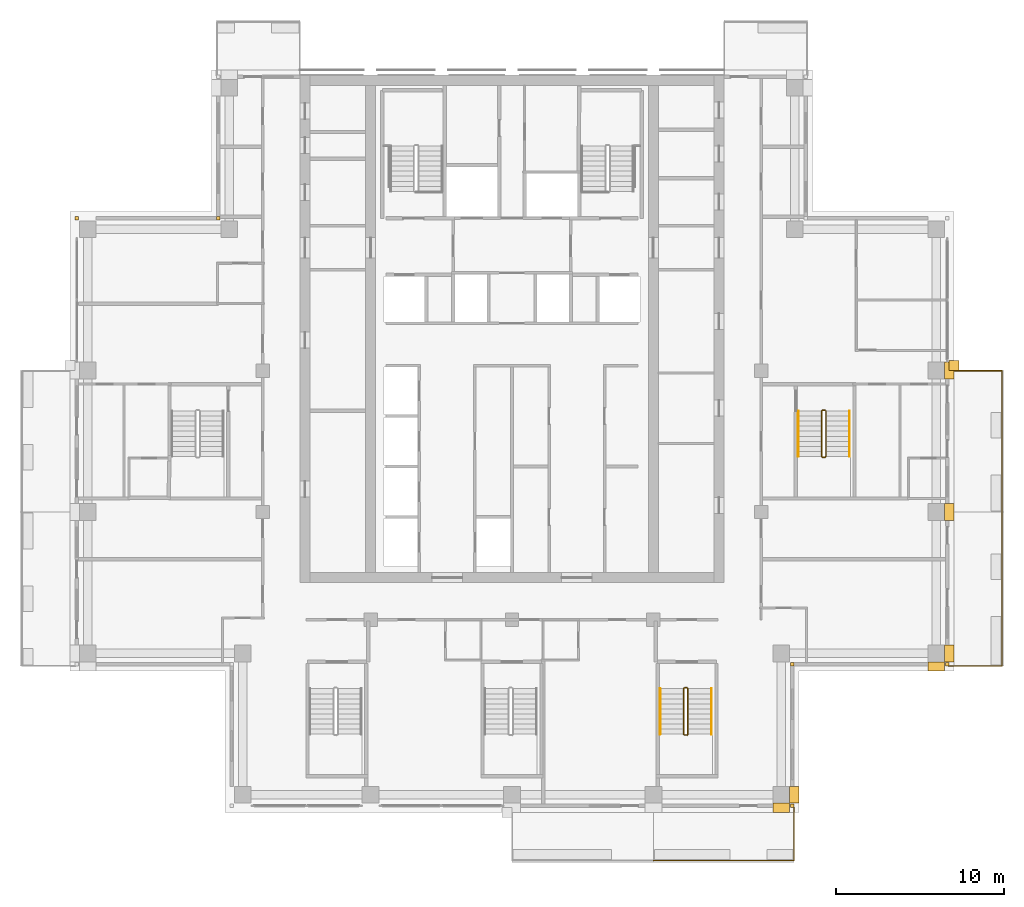
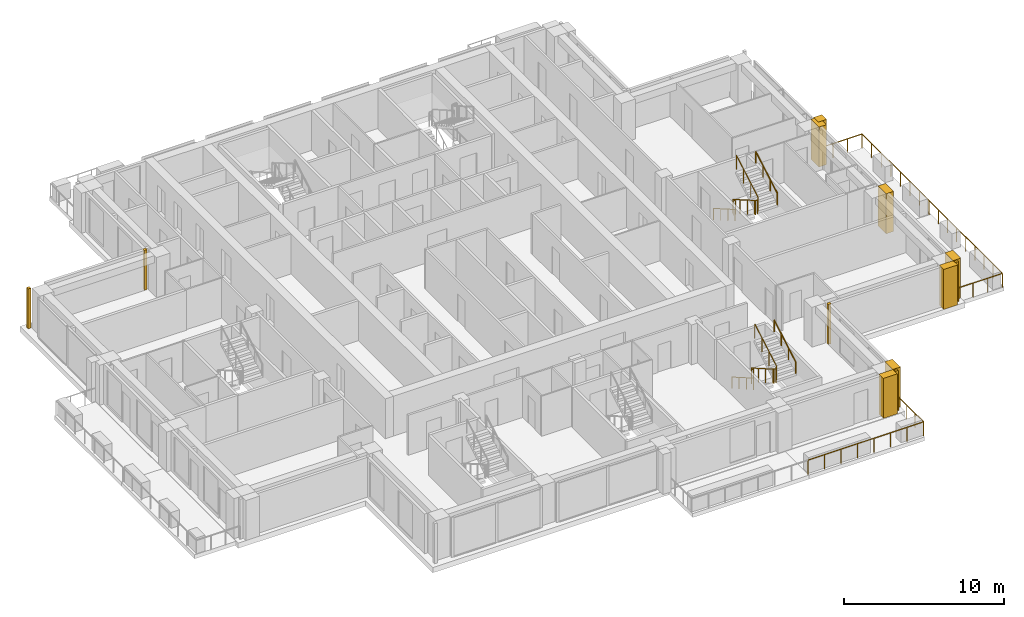
# One storey, part 16 of 17: 12 coverings, 9 railings.
"""IFC4 building model written with IfcOpenShell, lengths in metres."""

from ifc_helpers import new_model, si_unit, direction, frame, origin, origin_2d, place, context, subcontext, project, spatial, polyline, rectangle, outline, extrude, material, type_object, element, save


model = new_model("IFC4")

# Units and contexts
model_context = context("Model", 3, precision=1e-05, world=origin(), true_north=direction((0.0, 1.0)))
body_context = subcontext(model_context, "Body", "Model", "MODEL_VIEW")
ifc_project = project(units=[si_unit("LENGTHUNIT", "METRE"), si_unit("AREAUNIT", "SQUARE_METRE"), si_unit("VOLUMEUNIT", "CUBIC_METRE"), si_unit("PLANEANGLEUNIT", "RADIAN"), si_unit("MASSUNIT", "GRAM", prefix="KILO")], contexts=[model_context])

# Site, building, storey
site_placement = place(None, origin())
site = spatial("IfcSite", under=ifc_project, at=site_placement, CompositionType="ELEMENT")
building_placement = place(site_placement, origin())
building = spatial("IfcBuilding", under=site, at=building_placement, Name="Vermilion Ogive Tower", CompositionType="ELEMENT")
storey_placement = place(building_placement, frame((0.0, 0.0, 203.14990234375)))
storey = spatial("IfcBuildingStorey", under=building, at=storey_placement, Name="L53", CompositionType="ELEMENT", Elevation=203.14990234375)

# Railings
ifc_material_1 = material(Name="Stainless steel and glass", Category="steel")
railing_type_1 = type_object("IfcRailingType", Name="Balcony guard", PredefinedType="GUARDRAIL", material=ifc_material_1)
railing_1_placement = place(storey_placement, frame((8.39990234375, -24.909912109375, -0.039794921875)))
element("IfcRailing", 1, at=railing_1_placement, inside=storey, type_object=railing_type_1, Name="Guard S04", PredefinedType="GUARDRAIL", context=body_context, shape_type="SweptSolid", body=[
    extrude(rectangle(XDim=0.048095703125, YDim=0.048095703125, at=origin_2d()), frame((0.0, 0.0, 1.076171875), z_axis=(1.0, 0.0, 0.0), x_axis=(0.0, 1.0, 0.0)), (0.0, 0.0, 1.0), 8.35009765625),
    extrude(rectangle(XDim=0.048095703125, YDim=0.048095703125, at=origin_2d()), frame((8.35009765625, 0.0, 1.076171875), z_axis=(0.0, 1.0, 0.0), x_axis=(-1.0, 0.0, 0.0)), (0.0, 0.0, 1.0), 3.159912109375),
    extrude(rectangle(XDim=0.0419921875, YDim=0.0419921875, at=origin_2d()), origin(), (0.0, 0.0, 1.0), 1.052001953125),
    extrude(rectangle(XDim=0.0419921875, YDim=0.0419921875, at=origin_2d()), frame((1.19287109375, 0.0, 0.0)), (0.0, 0.0, 1.0), 1.052001953125),
    extrude(rectangle(XDim=0.0419921875, YDim=0.0419921875, at=origin_2d()), frame((2.3857421875, 0.0, 0.0)), (0.0, 0.0, 1.0), 1.052001953125),
    extrude(rectangle(XDim=0.0419921875, YDim=0.0419921875, at=origin_2d()), frame((3.57861328125, 0.0, 0.0)), (0.0, 0.0, 1.0), 1.052001953125),
    extrude(rectangle(XDim=0.0419921875, YDim=0.0419921875, at=origin_2d()), frame((4.771484375, 0.0, 0.0)), (0.0, 0.0, 1.0), 1.052001953125),
    extrude(rectangle(XDim=0.0419921875, YDim=0.0419921875, at=origin_2d()), frame((5.96435546875, 0.0, 0.0)), (0.0, 0.0, 1.0), 1.052001953125),
    extrude(rectangle(XDim=0.0419921875, YDim=0.0419921875, at=origin_2d()), frame((7.1572265625, 0.0, 0.0)), (0.0, 0.0, 1.0), 1.052001953125),
    extrude(rectangle(XDim=0.0419921875, YDim=0.0419921875, at=origin_2d()), frame((8.35009765625, 0.0, 0.0)), (0.0, 0.0, 1.0), 1.052001953125),
    extrude(rectangle(XDim=0.0419921875, YDim=0.0419921875, at=origin_2d()), frame((8.35009765625, 1.05322265625, 0.0)), (0.0, 0.0, 1.0), 1.052001953125),
    extrude(rectangle(XDim=0.0419921875, YDim=0.0419921875, at=origin_2d()), frame((8.35009765625, 2.106689453125, 0.0)), (0.0, 0.0, 1.0), 1.052001953125),
    extrude(rectangle(XDim=0.0419921875, YDim=0.0419921875, at=origin_2d()), frame((8.35009765625, 3.159912109375, 0.0)), (0.0, 0.0, 1.0), 1.052001953125),
])
railing_2_placement = place(storey_placement, frame((25.949951171875, -13.35009765625, -0.039794921875)))
element("IfcRailing", 2, at=railing_2_placement, inside=storey, type_object=railing_type_1, Name="Guard E01", PredefinedType="GUARDRAIL", context=body_context, shape_type="SweptSolid", body=[
    extrude(rectangle(XDim=0.048095703125, YDim=0.048095703125, at=origin_2d()), frame((0.0, 0.0, 1.076171875), z_axis=(1.0, 0.0, 0.0), x_axis=(0.0, 1.0, 0.0)), (0.0, 0.0, 1.0), 3.16015625),
    extrude(rectangle(XDim=0.048095703125, YDim=0.048095703125, at=origin_2d()), frame((3.16015625, 0.0, 1.076171875), z_axis=(0.0, 1.0, 0.0), x_axis=(-1.0, 0.0, 0.0)), (0.0, 0.0, 1.0), 9.150146484375),
    extrude(rectangle(XDim=0.0419921875, YDim=0.0419921875, at=origin_2d()), origin(), (0.0, 0.0, 1.0), 1.052001953125),
    extrude(rectangle(XDim=0.0419921875, YDim=0.0419921875, at=origin_2d()), frame((1.053466796875, 0.0, 0.0)), (0.0, 0.0, 1.0), 1.052001953125),
    extrude(rectangle(XDim=0.0419921875, YDim=0.0419921875, at=origin_2d()), frame((2.106689453125, 0.0, 0.0)), (0.0, 0.0, 1.0), 1.052001953125),
    extrude(rectangle(XDim=0.0419921875, YDim=0.0419921875, at=origin_2d()), frame((3.16015625, 0.0, 0.0)), (0.0, 0.0, 1.0), 1.052001953125),
    extrude(rectangle(XDim=0.0419921875, YDim=0.0419921875, at=origin_2d()), frame((3.16015625, 1.143798828125, 0.0)), (0.0, 0.0, 1.0), 1.052001953125),
    extrude(rectangle(XDim=0.0419921875, YDim=0.0419921875, at=origin_2d()), frame((3.16015625, 2.28759765625, 0.0)), (0.0, 0.0, 1.0), 1.052001953125),
    extrude(rectangle(XDim=0.0419921875, YDim=0.0419921875, at=origin_2d()), frame((3.16015625, 3.431396484375, 0.0)), (0.0, 0.0, 1.0), 1.052001953125),
    extrude(rectangle(XDim=0.0419921875, YDim=0.0419921875, at=origin_2d()), frame((3.16015625, 4.5751953125, 0.0)), (0.0, 0.0, 1.0), 1.052001953125),
    extrude(rectangle(XDim=0.0419921875, YDim=0.0419921875, at=origin_2d()), frame((3.16015625, 5.71875, 0.0)), (0.0, 0.0, 1.0), 1.052001953125),
    extrude(rectangle(XDim=0.0419921875, YDim=0.0419921875, at=origin_2d()), frame((3.16015625, 6.862548828125, 0.0)), (0.0, 0.0, 1.0), 1.052001953125),
    extrude(rectangle(XDim=0.0419921875, YDim=0.0419921875, at=origin_2d()), frame((3.16015625, 8.00634765625, 0.0)), (0.0, 0.0, 1.0), 1.052001953125),
    extrude(rectangle(XDim=0.0419921875, YDim=0.0419921875, at=origin_2d()), frame((3.16015625, 9.150146484375, 0.0)), (0.0, 0.0, 1.0), 1.052001953125),
])
railing_3_placement = place(storey_placement, frame((29.110107421875, -4.199951171875, -0.039794921875)))
element("IfcRailing", 3, at=railing_3_placement, inside=storey, type_object=railing_type_1, Name="Guard E02", PredefinedType="GUARDRAIL", context=body_context, shape_type="SweptSolid", body=[
    extrude(rectangle(XDim=0.048095703125, YDim=0.048095703125, at=origin_2d()), frame((0.0, 0.0, 1.076171875), z_axis=(0.0, 1.0, 0.0), x_axis=(-1.0, 0.0, 0.0)), (0.0, 0.0, 1.0), 8.39990234375),
    extrude(rectangle(XDim=0.048095703125, YDim=0.048095703125, at=origin_2d()), frame((0.0, 8.39990234375, 1.076171875), z_axis=(-1.0, 0.0, 0.0), x_axis=(0.0, -1.0, 0.0)), (0.0, 0.0, 1.0), 3.16015625),
    extrude(rectangle(XDim=0.0419921875, YDim=0.0419921875, at=origin_2d()), origin(), (0.0, 0.0, 1.0), 1.052001953125),
    extrude(rectangle(XDim=0.0419921875, YDim=0.0419921875, at=origin_2d()), frame((0.0, 1.199951171875, 0.0)), (0.0, 0.0, 1.0), 1.052001953125),
    extrude(rectangle(XDim=0.0419921875, YDim=0.0419921875, at=origin_2d()), frame((0.0, 2.39990234375, 0.0)), (0.0, 0.0, 1.0), 1.052001953125),
    extrude(rectangle(XDim=0.0419921875, YDim=0.0419921875, at=origin_2d()), frame((0.0, 3.599853515625, 0.0)), (0.0, 0.0, 1.0), 1.052001953125),
    extrude(rectangle(XDim=0.0419921875, YDim=0.0419921875, at=origin_2d()), frame((0.0, 4.800048828125, 0.0)), (0.0, 0.0, 1.0), 1.052001953125),
    extrude(rectangle(XDim=0.0419921875, YDim=0.0419921875, at=origin_2d()), frame((0.0, 6.0, 0.0)), (0.0, 0.0, 1.0), 1.052001953125),
    extrude(rectangle(XDim=0.0419921875, YDim=0.0419921875, at=origin_2d()), frame((0.0, 7.199951171875, 0.0)), (0.0, 0.0, 1.0), 1.052001953125),
    extrude(rectangle(XDim=0.0419921875, YDim=0.0419921875, at=origin_2d()), frame((0.0, 8.39990234375, 0.0)), (0.0, 0.0, 1.0), 1.052001953125),
    extrude(rectangle(XDim=0.0419921875, YDim=0.0419921875, at=origin_2d()), frame((-1.053466796875, 8.39990234375, 0.0)), (0.0, 0.0, 1.0), 1.052001953125),
    extrude(rectangle(XDim=0.0419921875, YDim=0.0419921875, at=origin_2d()), frame((-2.106689453125, 8.39990234375, 0.0)), (0.0, 0.0, 1.0), 1.052001953125),
    extrude(rectangle(XDim=0.0419921875, YDim=0.0419921875, at=origin_2d()), frame((-3.16015625, 8.39990234375, 0.0)), (0.0, 0.0, 1.0), 1.052001953125),
])
ifc_material_2 = material(Name="Steel S355 painted", Category="steel")
railing_type_2 = type_object("IfcRailingType", Name="Stair guard 1100", PredefinedType="GUARDRAIL", material=ifc_material_2)
railing_4_placement = place(storey_placement, frame((10.39990234375, -14.64990234375, 0.0)))
element("IfcRailing", 4, at=railing_4_placement, inside=storey, type_object=railing_type_2, Name="L53 ST5 stair guard 4", PredefinedType="GUARDRAIL", context=body_context, shape_type="SweptSolid", body=[
    extrude(rectangle(XDim=0.048095703125, YDim=0.048095703125, at=origin_2d()), frame((0.0, 0.0, 1.076171875), z_axis=(-1.0, 0.0, 0.0), x_axis=(0.0, -1.0, 0.0)), (0.0, 0.0, 1.0), 0.14990234375),
    extrude(rectangle(XDim=0.048095703125, YDim=0.048095703125, at=origin_2d()), frame((-0.14990234375, 0.0, 1.076171875), z_axis=(-0.268277960024, -0.268277960024, 0.925231793839), x_axis=(0.707106781187, -0.707106781187, 0.0)), (0.0, 0.0, 1.0), 0.1865234375),
    extrude(rectangle(XDim=0.048095703125, YDim=0.048095703125, at=origin_2d()), frame((-0.199951171875, -0.050048828125, 1.24853515625), z_axis=(0.0, -0.866903762492, 0.498475542607), x_axis=(1.0, 0.0, 0.0)), (0.0, 0.0, 1.0), 3.114501953125),
    extrude(rectangle(XDim=0.048095703125, YDim=0.048095703125, at=origin_2d()), frame((-0.199951171875, -2.75, 2.80126953125), z_axis=(0.707106781187, -0.707106781187, 0.0), x_axis=(0.707106781187, 0.707106781187, 0.0)), (0.0, 0.0, 1.0), 0.07080078125),
    extrude(rectangle(XDim=0.048095703125, YDim=0.048095703125, at=origin_2d()), frame((-0.14990234375, -2.800048828125, 2.80126953125), z_axis=(1.0, 0.0, 0.0), x_axis=(0.0, 1.0, 0.0)), (0.0, 0.0, 1.0), 0.14990234375),
    extrude(rectangle(XDim=0.048095703125, YDim=0.048095703125, at=origin_2d()), frame((0.0, -2.800048828125, 2.80126953125), z_axis=(0.268277960024, 0.268277960024, 0.925231793839), x_axis=(-0.707106781187, 0.707106781187, 0.0)), (0.0, 0.0, 1.0), 0.1865234375),
    extrude(rectangle(XDim=0.048095703125, YDim=0.048095703125, at=origin_2d()), frame((0.050048828125, -2.75, 2.9736328125), z_axis=(0.0, 0.866903762492, 0.498475542607), x_axis=(-1.0, 0.0, 0.0)), (0.0, 0.0, 1.0), 3.114501953125),
    extrude(rectangle(XDim=0.0419921875, YDim=0.0419921875, at=origin_2d()), origin(), (0.0, 0.0, 1.0), 1.052001953125),
    extrude(rectangle(XDim=0.0419921875, YDim=0.0419921875, at=origin_2d()), frame((-0.14990234375, 0.0, 0.0)), (0.0, 0.0, 1.0), 1.052001953125),
    extrude(rectangle(XDim=0.0419921875, YDim=0.0419921875, at=origin_2d()), frame((-0.199951171875, -0.050048828125, 0.172607421875)), (0.0, 0.0, 1.0), 1.052001953125),
    extrude(rectangle(XDim=0.0419921875, YDim=0.0419921875, at=origin_2d()), frame((-0.199951171875, -0.949951171875, 0.690185546875)), (0.0, 0.0, 1.0), 1.052001953125),
    extrude(rectangle(XDim=0.0419921875, YDim=0.0419921875, at=origin_2d()), frame((-0.199951171875, -1.85009765625, 1.20751953125)), (0.0, 0.0, 1.0), 1.052001953125),
    extrude(rectangle(XDim=0.0419921875, YDim=0.0419921875, at=origin_2d()), frame((-0.199951171875, -2.75, 1.72509765625)), (0.0, 0.0, 1.0), 1.052001953125),
    extrude(rectangle(XDim=0.0419921875, YDim=0.0419921875, at=origin_2d()), frame((-0.14990234375, -2.800048828125, 1.72509765625)), (0.0, 0.0, 1.0), 1.052001953125),
    extrude(rectangle(XDim=0.0419921875, YDim=0.0419921875, at=origin_2d()), frame((0.0, -2.800048828125, 1.72509765625)), (0.0, 0.0, 1.0), 1.052001953125),
    extrude(rectangle(XDim=0.0419921875, YDim=0.0419921875, at=origin_2d()), frame((0.050048828125, -2.75, 1.897705078125)), (0.0, 0.0, 1.0), 1.052001953125),
    extrude(rectangle(XDim=0.0419921875, YDim=0.0419921875, at=origin_2d()), frame((0.050048828125, -1.85009765625, 2.415283203125)), (0.0, 0.0, 1.0), 1.052001953125),
    extrude(rectangle(XDim=0.0419921875, YDim=0.0419921875, at=origin_2d()), frame((0.050048828125, -0.949951171875, 2.9326171875)), (0.0, 0.0, 1.0), 1.052001953125),
    extrude(rectangle(XDim=0.0419921875, YDim=0.0419921875, at=origin_2d()), frame((0.050048828125, -0.050048828125, 3.4501953125)), (0.0, 0.0, 1.0), 1.052001953125),
])
railing_5_placement = place(storey_placement, frame((18.60009765625, 1.85009765625, 0.0)))
element("IfcRailing", 5, at=railing_5_placement, inside=storey, type_object=railing_type_2, Name="L53 ST8 stair guard 4", PredefinedType="GUARDRAIL", context=body_context, shape_type="SweptSolid", body=[
    extrude(rectangle(XDim=0.048095703125, YDim=0.048095703125, at=origin_2d()), frame((0.0, 0.0, 1.076171875), z_axis=(-1.0, 0.0, 0.0), x_axis=(0.0, -1.0, 0.0)), (0.0, 0.0, 1.0), 0.150146484375),
    extrude(rectangle(XDim=0.048095703125, YDim=0.048095703125, at=origin_2d()), frame((-0.150146484375, 0.0, 1.076171875), z_axis=(-0.268277960024, -0.268277960024, 0.925231793839), x_axis=(0.707106781187, -0.707106781187, 0.0)), (0.0, 0.0, 1.0), 0.1865234375),
    extrude(rectangle(XDim=0.048095703125, YDim=0.048095703125, at=origin_2d()), frame((-0.2001953125, -0.050048828125, 1.24853515625), z_axis=(0.0, -0.866903762492, 0.498475542607), x_axis=(1.0, 0.0, 0.0)), (0.0, 0.0, 1.0), 3.114501953125),
    extrude(rectangle(XDim=0.048095703125, YDim=0.048095703125, at=origin_2d()), frame((-0.2001953125, -2.75, 2.80126953125), z_axis=(0.707106781187, -0.707106781187, 0.0), x_axis=(0.707106781187, 0.707106781187, 0.0)), (0.0, 0.0, 1.0), 0.07080078125),
    extrude(rectangle(XDim=0.048095703125, YDim=0.048095703125, at=origin_2d()), frame((-0.150146484375, -2.800048828125, 2.80126953125), z_axis=(1.0, 0.0, 0.0), x_axis=(0.0, 1.0, 0.0)), (0.0, 0.0, 1.0), 0.150146484375),
    extrude(rectangle(XDim=0.048095703125, YDim=0.048095703125, at=origin_2d()), frame((0.0, -2.800048828125, 2.80126953125), z_axis=(0.267062837333, 0.268371968888, 0.925556009775), x_axis=(-0.708833529934, 0.705375805398, 0.0)), (0.0, 0.0, 1.0), 0.1865234375),
    extrude(rectangle(XDim=0.048095703125, YDim=0.048095703125, at=origin_2d()), frame((0.0498046875, -2.75, 2.9736328125), z_axis=(0.0, 0.866903762492, 0.498475542607), x_axis=(-1.0, 0.0, 0.0)), (0.0, 0.0, 1.0), 3.114501953125),
    extrude(rectangle(XDim=0.0419921875, YDim=0.0419921875, at=origin_2d()), origin(), (0.0, 0.0, 1.0), 1.052001953125),
    extrude(rectangle(XDim=0.0419921875, YDim=0.0419921875, at=origin_2d()), frame((-0.150146484375, 0.0, 0.0)), (0.0, 0.0, 1.0), 1.052001953125),
    extrude(rectangle(XDim=0.0419921875, YDim=0.0419921875, at=origin_2d()), frame((-0.2001953125, -0.050048828125, 0.172607421875)), (0.0, 0.0, 1.0), 1.052001953125),
    extrude(rectangle(XDim=0.0419921875, YDim=0.0419921875, at=origin_2d()), frame((-0.2001953125, -0.949951171875, 0.690185546875)), (0.0, 0.0, 1.0), 1.052001953125),
    extrude(rectangle(XDim=0.0419921875, YDim=0.0419921875, at=origin_2d()), frame((-0.2001953125, -1.85009765625, 1.20751953125)), (0.0, 0.0, 1.0), 1.052001953125),
    extrude(rectangle(XDim=0.0419921875, YDim=0.0419921875, at=origin_2d()), frame((-0.2001953125, -2.75, 1.72509765625)), (0.0, 0.0, 1.0), 1.052001953125),
    extrude(rectangle(XDim=0.0419921875, YDim=0.0419921875, at=origin_2d()), frame((-0.150146484375, -2.800048828125, 1.72509765625)), (0.0, 0.0, 1.0), 1.052001953125),
    extrude(rectangle(XDim=0.0419921875, YDim=0.0419921875, at=origin_2d()), frame((0.0, -2.800048828125, 1.72509765625)), (0.0, 0.0, 1.0), 1.052001953125),
    extrude(rectangle(XDim=0.0419921875, YDim=0.0419921875, at=origin_2d()), frame((0.0498046875, -2.75, 1.897705078125)), (0.0, 0.0, 1.0), 1.052001953125),
    extrude(rectangle(XDim=0.0419921875, YDim=0.0419921875, at=origin_2d()), frame((0.0498046875, -1.85009765625, 2.415283203125)), (0.0, 0.0, 1.0), 1.052001953125),
    extrude(rectangle(XDim=0.0419921875, YDim=0.0419921875, at=origin_2d()), frame((0.0498046875, -0.949951171875, 2.9326171875)), (0.0, 0.0, 1.0), 1.052001953125),
    extrude(rectangle(XDim=0.0419921875, YDim=0.0419921875, at=origin_2d()), frame((0.0498046875, -0.050048828125, 3.4501953125)), (0.0, 0.0, 1.0), 1.052001953125),
])
ifc_material_3 = material(Name="Stainless steel", Category="steel")
railing_type_3 = type_object("IfcRailingType", Name="Stair handrail 900", PredefinedType="HANDRAIL", material=ifc_material_3)
railing_6_placement = place(storey_placement, frame((8.800048828125, -14.699951171875, 0.172607421875)))
element("IfcRailing", 6, at=railing_6_placement, inside=storey, type_object=railing_type_3, Name="L53 ST5 stair handrail 1", PredefinedType="HANDRAIL", context=body_context, shape_type="SweptSolid", body=[
    extrude(rectangle(XDim=0.048095703125, YDim=0.048095703125, at=origin_2d()), frame((0.0, 0.0, 0.8759765625), z_axis=(0.0, -0.866903762492, 0.498475542607), x_axis=(1.0, 0.0, 0.0)), (0.0, 0.0, 1.0), 3.114501953125),
    extrude(rectangle(XDim=0.0419921875, YDim=0.0419921875, at=origin_2d()), origin(), (0.0, 0.0, 1.0), 0.851806640625),
    extrude(rectangle(XDim=0.0419921875, YDim=0.0419921875, at=origin_2d()), frame((0.0, -0.89990234375, 0.517578125)), (0.0, 0.0, 1.0), 0.851806640625),
    extrude(rectangle(XDim=0.0419921875, YDim=0.0419921875, at=origin_2d()), frame((0.0, -1.800048828125, 1.034912109375)), (0.0, 0.0, 1.0), 0.851806640625),
    extrude(rectangle(XDim=0.0419921875, YDim=0.0419921875, at=origin_2d()), frame((0.0, -2.699951171875, 1.552490234375)), (0.0, 0.0, 1.0), 0.851806640625),
])
railing_7_placement = place(storey_placement, frame((11.85009765625, -17.39990234375, 1.897705078125)))
element("IfcRailing", 7, at=railing_7_placement, inside=storey, type_object=railing_type_3, Name="L53 ST5 stair handrail 2", PredefinedType="HANDRAIL", context=body_context, shape_type="SweptSolid", body=[
    extrude(rectangle(XDim=0.048095703125, YDim=0.048095703125, at=origin_2d()), frame((0.0, 0.0, 0.8759765625), z_axis=(0.0, 0.866903762492, 0.498475542607), x_axis=(-1.0, 0.0, 0.0)), (0.0, 0.0, 1.0), 3.114501953125),
    extrude(rectangle(XDim=0.0419921875, YDim=0.0419921875, at=origin_2d()), origin(), (0.0, 0.0, 1.0), 0.851806640625),
    extrude(rectangle(XDim=0.0419921875, YDim=0.0419921875, at=origin_2d()), frame((0.0, 0.89990234375, 0.517578125)), (0.0, 0.0, 1.0), 0.851806640625),
    extrude(rectangle(XDim=0.0419921875, YDim=0.0419921875, at=origin_2d()), frame((0.0, 1.800048828125, 1.034912109375)), (0.0, 0.0, 1.0), 0.851806640625),
    extrude(rectangle(XDim=0.0419921875, YDim=0.0419921875, at=origin_2d()), frame((0.0, 2.699951171875, 1.552490234375)), (0.0, 0.0, 1.0), 0.851806640625),
])
railing_8_placement = place(storey_placement, frame((17.0, 1.800048828125, 0.172607421875)))
element("IfcRailing", 8, at=railing_8_placement, inside=storey, type_object=railing_type_3, Name="L53 ST8 stair handrail 1", PredefinedType="HANDRAIL", context=body_context, shape_type="SweptSolid", body=[
    extrude(rectangle(XDim=0.048095703125, YDim=0.048095703125, at=origin_2d()), frame((0.0, 0.0, 0.8759765625), z_axis=(0.0, -0.866903762492, 0.498475542607), x_axis=(1.0, 0.0, 0.0)), (0.0, 0.0, 1.0), 3.114501953125),
    extrude(rectangle(XDim=0.0419921875, YDim=0.0419921875, at=origin_2d()), origin(), (0.0, 0.0, 1.0), 0.851806640625),
    extrude(rectangle(XDim=0.0419921875, YDim=0.0419921875, at=origin_2d()), frame((0.0, -0.89990234375, 0.517578125)), (0.0, 0.0, 1.0), 0.851806640625),
    extrude(rectangle(XDim=0.0419921875, YDim=0.0419921875, at=origin_2d()), frame((0.0, -1.800048828125, 1.034912109375)), (0.0, 0.0, 1.0), 0.851806640625),
    extrude(rectangle(XDim=0.0419921875, YDim=0.0419921875, at=origin_2d()), frame((0.0, -2.699951171875, 1.552490234375)), (0.0, 0.0, 1.0), 0.851806640625),
])
railing_9_placement = place(storey_placement, frame((20.050048828125, -0.89990234375, 1.897705078125)))
element("IfcRailing", 9, at=railing_9_placement, inside=storey, type_object=railing_type_3, Name="L53 ST8 stair handrail 2", PredefinedType="HANDRAIL", context=body_context, shape_type="SweptSolid", body=[
    extrude(rectangle(XDim=0.048095703125, YDim=0.048095703125, at=origin_2d()), frame((0.0, 0.0, 0.8759765625), z_axis=(0.0, 0.866903762492, 0.498475542607), x_axis=(-1.0, 0.0, 0.0)), (0.0, 0.0, 1.0), 3.114501953125),
    extrude(rectangle(XDim=0.0419921875, YDim=0.0419921875, at=origin_2d()), origin(), (0.0, 0.0, 1.0), 0.851806640625),
    extrude(rectangle(XDim=0.0419921875, YDim=0.0419921875, at=origin_2d()), frame((0.0, 0.89990234375, 0.517578125)), (0.0, 0.0, 1.0), 0.851806640625),
    extrude(rectangle(XDim=0.0419921875, YDim=0.0419921875, at=origin_2d()), frame((0.0, 1.800048828125, 1.034912109375)), (0.0, 0.0, 1.0), 0.851806640625),
    extrude(rectangle(XDim=0.0419921875, YDim=0.0419921875, at=origin_2d()), frame((0.0, 2.699951171875, 1.552490234375)), (0.0, 0.0, 1.0), 0.851806640625),
])

# Coverings
ifc_material_4 = material(Name="Stone cladding", Category="masonry")
covering_type_1 = type_object("IfcCoveringType", Name="Stone corner buttress", PredefinedType="CLADDING", material=ifc_material_4)
covering_1_placement = place(storey_placement, origin())
element("IfcCovering", 10, at=covering_1_placement, inside=storey, type_object=covering_type_1, Name="Stone crease pier EK", PredefinedType="CLADDING", context=body_context, shape_type="SweptSolid", body=[
    extrude(outline(polyline([(26.550048828125, 4.199951171875), (26.550048828125, 4.800048828125), (25.949951171875, 4.800048828125), (25.949951171875, 4.199951171875), (26.550048828125, 4.199951171875)])), origin(), (0.0, 0.0, 1.0), 3.050048828125),
])
ifc_material_5 = material(Name="Stone cladding", Category="masonry")
covering_type_2 = type_object("IfcCoveringType", Name="Stone pier", PredefinedType="CLADDING", material=ifc_material_5)
covering_2_placement = place(storey_placement, origin())
element("IfcCovering", 11, at=covering_2_placement, inside=storey, type_object=covering_type_2, Name="Stone corner pier SE1", PredefinedType="CLADDING", context=body_context, shape_type="SweptSolid", body=[
    extrude(outline(polyline([(16.550048828125, -21.550048828125), (16.75, -21.550048828125), (16.75, -21.75), (16.550048828125, -21.75), (16.550048828125, -21.550048828125)])), origin(), (0.0, 0.0, 1.0), 3.050048828125),
])
covering_3_placement = place(storey_placement, origin())
element("IfcCovering", 12, at=covering_3_placement, inside=storey, type_object=covering_type_2, Name="Stone corner pier X1E1", PredefinedType="CLADDING", context=body_context, shape_type="SweptSolid", body=[
    extrude(outline(polyline([(16.550048828125, -13.14990234375), (16.75, -13.14990234375), (16.75, -13.35009765625), (16.550048828125, -13.35009765625), (16.550048828125, -13.14990234375)])), origin(), (0.0, 0.0, 1.0), 3.050048828125),
])
covering_4_placement = place(storey_placement, origin())
element("IfcCovering", 13, at=covering_4_placement, inside=storey, type_object=covering_type_2, Name="Stone corner pier X2E1", PredefinedType="CLADDING", context=body_context, shape_type="SweptSolid", body=[
    extrude(outline(polyline([(25.75, -13.14990234375), (25.949951171875, -13.14990234375), (25.949951171875, -13.35009765625), (25.75, -13.35009765625), (25.75, -13.14990234375)])), origin(), (0.0, 0.0, 1.0), 3.050048828125),
])
covering_5_placement = place(storey_placement, origin())
element("IfcCovering", 14, at=covering_5_placement, inside=storey, type_object=covering_type_2, Name="Stone corner pier X5E1", PredefinedType="CLADDING", context=body_context, shape_type="SweptSolid", body=[
    extrude(outline(polyline([(-17.35009765625, 13.14990234375), (-17.550048828125, 13.14990234375), (-17.550048828125, 13.35009765625), (-17.35009765625, 13.35009765625), (-17.35009765625, 13.14990234375)])), origin(), (0.0, 0.0, 1.0), 3.050048828125),
])
covering_6_placement = place(storey_placement, origin())
element("IfcCovering", 15, at=covering_6_placement, inside=storey, type_object=covering_type_2, Name="Stone corner pier X6E1", PredefinedType="CLADDING", context=body_context, shape_type="SweptSolid", body=[
    extrude(outline(polyline([(-25.75, 13.14990234375), (-25.949951171875, 13.14990234375), (-25.949951171875, 13.35009765625), (-25.75, 13.35009765625), (-25.75, 13.14990234375)])), origin(), (0.0, 0.0, 1.0), 3.050048828125),
])
covering_7_placement = place(storey_placement, origin())
element("IfcCovering", 16, at=covering_7_placement, inside=storey, type_object=covering_type_2, Name="Stone pier P+0160-210S", PredefinedType="CLADDING", context=body_context, shape_type="SweptSolid", body=[
    extrude(outline(polyline([(16.5, -22.050048828125), (15.5, -22.050048828125), (15.5, -21.5), (16.5, -21.5), (16.5, -22.050048828125)])), origin(), (0.0, 0.0, 1.0), 3.050048828125),
])
covering_8_placement = place(storey_placement, origin())
element("IfcCovering", 17, at=covering_8_placement, inside=storey, type_object=covering_type_2, Name="Stone pier P+0160-210X1", PredefinedType="CLADDING", context=body_context, shape_type="SweptSolid", body=[
    extrude(outline(polyline([(17.050048828125, -21.5), (16.5, -21.5), (16.5, -20.5), (17.050048828125, -20.5), (17.050048828125, -21.5)])), origin(), (0.0, 0.0, 1.0), 3.050048828125),
])
covering_9_placement = place(storey_placement, origin())
element("IfcCovering", 18, at=covering_9_placement, inside=storey, type_object=covering_type_2, Name="Stone pier P+0252+042", PredefinedType="CLADDING", context=body_context, shape_type="SweptSolid", body=[
    extrude(outline(polyline([(25.699951171875, 4.699951171875), (25.949951171875, 4.699951171875), (25.949951171875, 4.199951171875), (26.25, 4.199951171875), (26.25, 3.699951171875), (25.699951171875, 3.699951171875), (25.699951171875, 4.699951171875), (25.699951171875, 4.699951171875)])), origin(), (0.0, 0.0, 1.0), 3.050048828125),
])
covering_10_placement = place(storey_placement, origin())
element("IfcCovering", 19, at=covering_10_placement, inside=storey, type_object=covering_type_2, Name="Stone pier P+0252-042", PredefinedType="CLADDING", context=body_context, shape_type="SweptSolid", body=[
    extrude(outline(polyline([(25.699951171875, -3.699951171875), (26.25, -3.699951171875), (26.25, -4.699951171875), (25.699951171875, -4.699951171875), (25.699951171875, -4.699951171875), (25.699951171875, -3.699951171875)])), origin(), (0.0, 0.0, 1.0), 3.050048828125),
])
covering_11_placement = place(storey_placement, origin())
element("IfcCovering", 20, at=covering_11_placement, inside=storey, type_object=covering_type_2, Name="Stone pier P+0252-126X2", PredefinedType="CLADDING", context=body_context, shape_type="SweptSolid", body=[
    extrude(outline(polyline([(25.699951171875, -13.64990234375), (24.699951171875, -13.64990234375), (24.699951171875, -13.10009765625), (25.699951171875, -13.10009765625), (25.699951171875, -13.64990234375)])), origin(), (0.0, 0.0, 1.0), 3.050048828125),
])
covering_12_placement = place(storey_placement, origin())
element("IfcCovering", 21, at=covering_12_placement, inside=storey, type_object=covering_type_2, Name="Stone pier P+0252-126E", PredefinedType="CLADDING", context=body_context, shape_type="SweptSolid", body=[
    extrude(outline(polyline([(26.25, -13.10009765625), (25.699951171875, -13.10009765625), (25.699951171875, -12.10009765625), (26.25, -12.10009765625), (26.25, -13.10009765625)])), origin(), (0.0, 0.0, 1.0), 3.050048828125),
])

save(model, "model.ifc")
